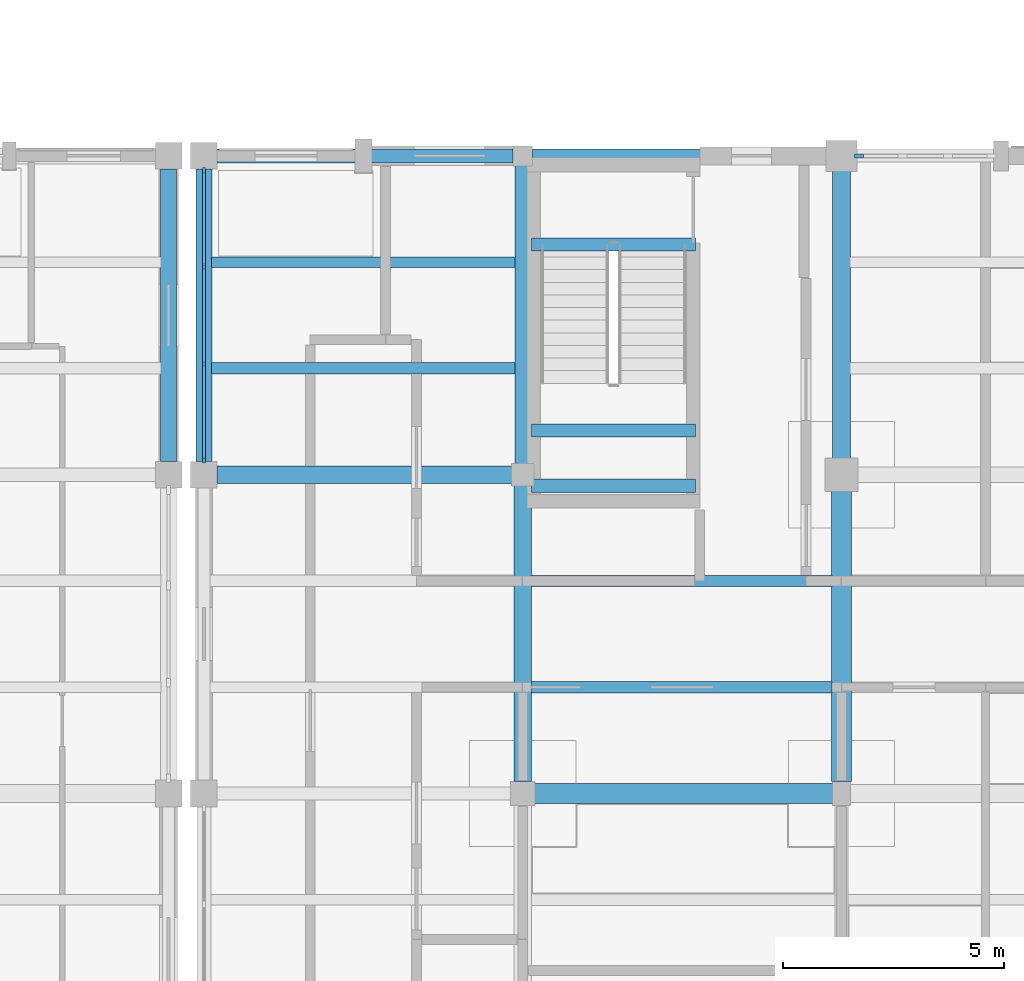
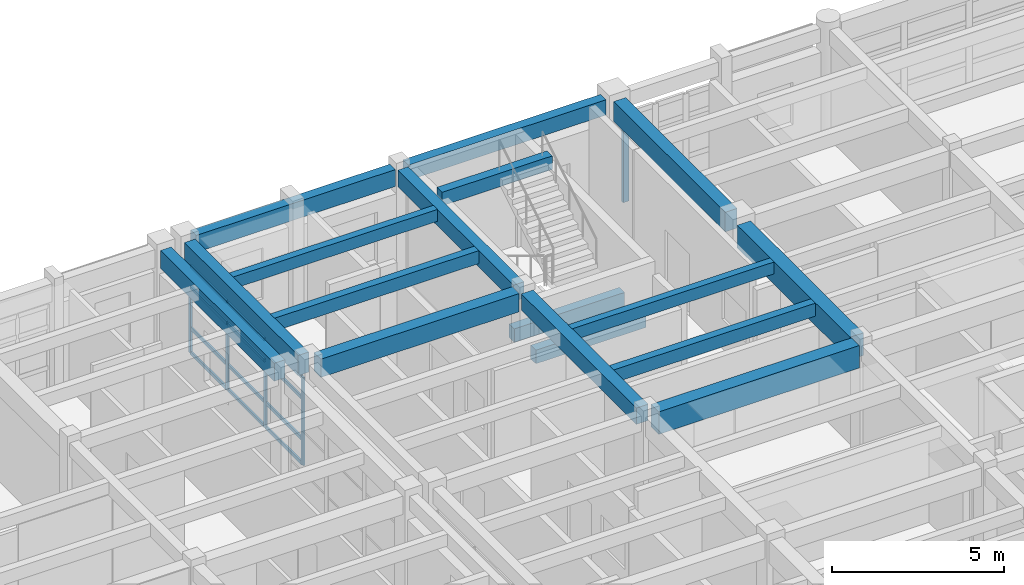
# One storey, part 42 of 110: 17 beams, 17 members, 2 elements without a shape of their own.
"""IFC4 building model written with IfcOpenShell, lengths in metres."""

import ifcopenshell
import ifcopenshell.guid

model = None  # the IFC model being written
_history = None  # IfcOwnerHistory: only IFC2X3 demands one
_inside = {}  # id of a spatial element -> (the spatial element, [elements in it])
_under = {}  # id of a project, library or spatial element -> (it, [spatial elements below it])
_declared = {}  # id of a project -> (the project, [libraries it declares])
_typed = {}  # id of a type object -> (the type object, [elements of that type])
_made_of = {}  # id of a material, layer set ... -> (it, [elements and type objects made of it])


def new_model(schema):
    """Start an empty IFC model of exactly this schema.

    Asked for "IFC4X3", IfcOpenShell would pick the latest addendum, in which some entities
    have other attributes; the version numbers below select the first issue.
    IFC2X3 requires an IfcOwnerHistory on every rooted entity: one is made here for all.
    """
    global model, _history
    if schema == "IFC4X3":
        model = ifcopenshell.file(schema_version=(4, 3, 0, 0))
    else:
        model = ifcopenshell.file(schema=schema)
    _inside.clear()
    _under.clear()
    _declared.clear()
    _typed.clear()
    _made_of.clear()
    _history = None
    if model.schema == "IFC2X3":
        org = make("IfcOrganization", Name="unknown")
        user = make(
            "IfcPersonAndOrganization",
            ThePerson=make("IfcPerson", FamilyName="unknown"),
            TheOrganization=org,
        )
        app = make(
            "IfcApplication",
            ApplicationDeveloper=org,
            Version="unknown",
            ApplicationFullName="unknown",
            ApplicationIdentifier="unknown",
        )
        _history = make(
            "IfcOwnerHistory",
            OwningUser=user,
            OwningApplication=app,
            ChangeAction="ADDED",
            CreationDate=0,
        )
    return model


def make(cls, **values):
    """One entity of the class cls with the attributes given. An attribute that is None is left unset."""
    return model.create_entity(
        cls, **{name: value for name, value in values.items() if value is not None}
    )


def rooted(cls, **values):
    """An entity with a GlobalId (a new one), such as an element, a storey or a relation."""
    return make(cls, GlobalId=ifcopenshell.guid.new(), OwnerHistory=_history, **values)


def si_unit(unit_type, name, prefix=None):
    """IfcSIUnit, for example si_unit("LENGTHUNIT", "METRE", prefix="MILLI")."""
    return make("IfcSIUnit", UnitType=unit_type, Prefix=prefix, Name=name)


def assignment(units):
    """IfcUnitAssignment: the units of a project."""
    return None if units is None else make("IfcUnitAssignment", Units=units)


def point(xyz):
    """IfcCartesianPoint."""
    return None if xyz is None else make("IfcCartesianPoint", Coordinates=xyz)


def direction(xyz):
    """IfcDirection."""
    return None if xyz is None else make("IfcDirection", DirectionRatios=xyz)


def frame(location, z_axis=None, x_axis=None):
    """IfcAxis2Placement3D, a coordinate frame: its origin and axes. An axis left out is left unset."""
    return make(
        "IfcAxis2Placement3D",
        Location=point(location),
        Axis=direction(z_axis),
        RefDirection=direction(x_axis),
    )


def frame_2d(location, x_axis=None):
    """IfcAxis2Placement2D, a coordinate frame in the plane: its origin and x axis."""
    return make(
        "IfcAxis2Placement2D", Location=point(location), RefDirection=direction(x_axis)
    )


def origin():
    """The frame at (0, 0, 0) with its axes left unset."""
    return frame((0.0, 0.0, 0.0))


def origin_2d():
    """The frame at (0, 0) in the plane with its x axis left unset."""
    return frame_2d((0.0, 0.0))


def place(relative_to, where):
    """IfcLocalPlacement: puts the frame where relative to a parent placement (None: the world)."""
    return make(
        "IfcLocalPlacement", PlacementRelTo=relative_to, RelativePlacement=where
    )


def context(
    kind, dimensions, precision=None, world=None, true_north=None, identifier=None
):
    """IfcGeometricRepresentationContext, for example the 3D "Model" context."""
    return make(
        "IfcGeometricRepresentationContext",
        ContextIdentifier=identifier,
        ContextType=kind,
        CoordinateSpaceDimension=dimensions,
        Precision=precision,
        WorldCoordinateSystem=world,
        TrueNorth=true_north,
    )


def subcontext(parent, identifier, kind, view, scale=None):
    """IfcGeometricRepresentationSubContext, for example "Body" below "Model"."""
    return make(
        "IfcGeometricRepresentationSubContext",
        ContextIdentifier=identifier,
        ContextType=kind,
        ParentContext=parent,
        TargetScale=scale,
        TargetView=view,
    )


def project(units=None, contexts=None):
    """IfcProject with its units and contexts."""
    return rooted(
        "IfcProject",
        Name="project",
        RepresentationContexts=contexts,
        UnitsInContext=assignment(units),
    )


def spatial(cls, under=None, at=None, **own):
    """A site, building, storey or space (cls), placed at a placement, below another one or the project."""
    s = rooted(cls, ObjectPlacement=at, **own)
    if under is not None:
        _under.setdefault(under.id(), (under, []))[1].append(s)
    return s


def profile(cls, at=None, kind="AREA", **sizes):
    """A parametric profile (cls). Its sizes go by their IFC names, for example OverallWidth=200.0."""
    return make(cls, ProfileType=kind, Position=at, **sizes)


def rectangle(**sizes):
    """IfcRectangleProfileDef."""
    return profile("IfcRectangleProfileDef", **sizes)


def extrude(swept, where, along, depth):
    """IfcExtrudedAreaSolid: the profile swept, set in the frame where, extruded along a direction by depth."""
    return make(
        "IfcExtrudedAreaSolid",
        SweptArea=swept,
        Position=where,
        ExtrudedDirection=direction(along),
        Depth=depth,
    )


def shape(context_of_items, identifier, shape_type, items):
    """IfcShapeRepresentation: the items that make up one representation, for example the "Body"."""
    return make(
        "IfcShapeRepresentation",
        ContextOfItems=context_of_items,
        RepresentationIdentifier=identifier,
        RepresentationType=shape_type,
        Items=items,
    )


def material(Name=None, Category=None):
    """IfcMaterial."""
    return make("IfcMaterial", Name=Name, Category=Category)


def material_profile(
    of_material, cross_section, Name=None, Category=None, Priority=None
):
    """IfcMaterialProfile: a cross section and its material."""
    return make(
        "IfcMaterialProfile",
        Name=Name,
        Material=of_material,
        Profile=cross_section,
        Priority=Priority,
        Category=Category,
    )


def profile_set(profiles, Name=None, composite=None):
    """IfcMaterialProfileSet."""
    return make(
        "IfcMaterialProfileSet",
        Name=Name,
        MaterialProfiles=profiles,
        CompositeProfile=composite,
    )


def made_of(thing, what):
    """Note that an element or type object is made of a material, layer set ...; save() writes the relation."""
    if what is not None:
        _made_of.setdefault(what.id(), (what, []))[1].append(thing)
    return thing


def type_object(cls, material=None, **own):
    """A type object (cls), such as IfcWallType, which elements share."""
    return made_of(rooted(cls, **own), material)


def element(
    cls,
    number,
    at=None,
    inside=None,
    cuts=None,
    type_object=None,
    material=None,
    context=None,
    identifier="Body",
    shape_type=None,
    held_by="IfcProductDefinitionShape",
    body=None,
    shapes=None,
    **own,
):
    """One element of the class cls, such as IfcWall. Its Tag is "e" and its number.

    at: its placement. inside: the storey or other place that contains it. cuts: it is an
    opening in that element (IfcRelVoidsElement). A single representation is given by context,
    identifier, shape_type and body (its items); several are given by shapes. held_by: the class
    of the entity that holds the representations. save() writes the other relations.
    """
    e = rooted(cls, Tag="e%d" % number, ObjectPlacement=at, **own)
    if body is not None:
        shapes = [shape(context, identifier, shape_type, body)]
    if shapes is not None:
        e.Representation = make(held_by, Representations=shapes)
    if inside is not None:
        _inside.setdefault(inside.id(), (inside, []))[1].append(e)
    if cuts is not None:
        rooted(
            "IfcRelVoidsElement", RelatingBuildingElement=cuts, RelatedOpeningElement=e
        )
    if type_object is not None:
        _typed.setdefault(type_object.id(), (type_object, []))[1].append(e)
    return made_of(e, material)


def aggregate(whole, parts):
    """IfcRelAggregates: a whole, such as a stair, and the parts it consists of."""
    return rooted("IfcRelAggregates", RelatingObject=whole, RelatedObjects=parts)


def save(model, path):
    """Write the relations noted so far, then the file.

    IfcRelAggregates (storeys below a building ...), IfcRelContainedInSpatialStructure (elements
    in a storey), IfcRelDefinesByType, IfcRelAssociatesMaterial and IfcRelDeclares: one each for
    every whole, place, type object, material and project.
    """
    for whole, parts in _under.values():
        aggregate(whole, parts)
    for where, things in _inside.values():
        rooted(
            "IfcRelContainedInSpatialStructure",
            RelatedElements=things,
            RelatingStructure=where,
        )
    for kind, things in _typed.values():
        rooted("IfcRelDefinesByType", RelatedObjects=things, RelatingType=kind)
    for what, things in _made_of.values():
        rooted("IfcRelAssociatesMaterial", RelatedObjects=things, RelatingMaterial=what)
    for by, libraries in _declared.values():
        rooted("IfcRelDeclares", RelatingContext=by, RelatedDefinitions=libraries)
    model.write(path)


model = new_model("IFC4")

# Units and contexts
model_context = context("Model", 3, precision=1e-05, world=origin(), true_north=direction((0.0, 1.0)))
body_context = subcontext(model_context, "Body", "Model", "MODEL_VIEW")
ifc_project = project(units=[si_unit("LENGTHUNIT", "METRE"), si_unit("AREAUNIT", "SQUARE_METRE"), si_unit("VOLUMEUNIT", "CUBIC_METRE"), si_unit("PLANEANGLEUNIT", "RADIAN"), si_unit("MASSUNIT", "GRAM", prefix="KILO")], contexts=[model_context])

# Site, building, storey
site_placement = place(None, origin())
site = spatial("IfcSite", under=ifc_project, at=site_placement, CompositionType="ELEMENT")
building_placement = place(site_placement, origin())
building = spatial("IfcBuilding", under=site, at=building_placement, Name="Steenspoor Specialist Clinic", CompositionType="ELEMENT")
storey_placement = place(building_placement, frame((0.0, 0.0, 4.800048828125)))
storey = spatial("IfcBuildingStorey", under=building, at=storey_placement, Name="L01", CompositionType="ELEMENT", Elevation=4.800048828125)

# Beams
ifc_material_1 = material(Name="Concrete C35/45", Category="concrete")
ifc_material_profile_1 = material_profile(ifc_material_1, rectangle(XDim=0.300048828125, YDim=0.47998046875, at=origin_2d()), Name="RC-BM-300X480")
ifc_profile_set_1 = profile_set([ifc_material_profile_1], Name="Concrete C35/45")
beam_type_1 = type_object("IfcBeamType", Name="BM-RC-300X480", PredefinedType="BEAM", material=ifc_profile_set_1)
for number, where, z_axis, x_axis, name in (
    (1, (125.39990234375, 102.14990234375, 1.659912109375), (1.0, 0.0, 0.0), (0.0, 1.0, 0.0), "Stair Mid-Landing Bearer 1 ST-V6A L01"),
    (2, (125.39990234375, 100.89990234375, 1.659912109375), (1.0, 0.0, 0.0), (0.0, 1.0, 0.0), "Stair Mid-Landing Bearer 2 ST-V6A L01"),
    (3, (125.39990234375, 106.35009765625, 3.9599609375), (1.0, 0.0, 0.0), (0.0, 1.0, 0.0), "Stair Well Trimmer Beam ST-V6A L01"),
):
    element("IfcBeam", number, at=place(storey_placement, frame(where, z_axis=z_axis, x_axis=x_axis)), inside=storey, type_object=beam_type_1, Name=name, PredefinedType="BEAM", context=body_context, shape_type="SweptSolid", body=[
        extrude(rectangle(XDim=0.300048828125, YDim=0.47998046875, at=origin_2d()), origin(), (0.0, 0.0, 1.0), 3.7001953125),
    ])
ifc_material_profile_2 = material_profile(ifc_material_1, rectangle(XDim=0.35009765625, YDim=0.580078125, at=origin_2d()), Name="RC-BM-350X580")
ifc_profile_set_2 = profile_set([ifc_material_profile_2], Name="Concrete C35/45")
beam_type_2 = type_object("IfcBeamType", Name="BM-RC-350X580", PredefinedType="BEAM", material=ifc_profile_set_2)
beam_1_placement = place(storey_placement, frame((125.199951171875, 101.39501953125, 3.659912109375), z_axis=(0.0, 1.0, 0.0), x_axis=(-1.0, 0.0, 0.0)))
element("IfcBeam", 4, at=beam_1_placement, inside=storey, type_object=beam_type_2, Name="BM-V6-L01-Y1521", PredefinedType="BEAM", context=body_context, shape_type="SweptSolid", body=[
    extrude(rectangle(XDim=0.35009765625, YDim=0.580078125, at=origin_2d()), origin(), (0.0, 0.0, 1.0), 6.73486328125),
])
ifc_material_profile_3 = material_profile(ifc_material_1, rectangle(XDim=0.39990234375, YDim=0.580078125, at=origin_2d()), Name="RC-BM-400X580")
ifc_profile_set_3 = profile_set([ifc_material_profile_3], Name="Concrete C35/45")
beam_type_3 = type_object("IfcBeamType", Name="BM-RC-400X580", PredefinedType="BEAM", material=ifc_profile_set_3)
beam_2_placement = place(storey_placement, frame((125.199951171875, 94.219970703125, 3.659912109375), z_axis=(0.0, 1.0, 0.0), x_axis=(-1.0, 0.0, 0.0)))
element("IfcBeam", 5, at=beam_2_placement, inside=storey, type_object=beam_type_3, Name="BM-V6-L01-Y1520", PredefinedType="BEAM", context=body_context, shape_type="SweptSolid", body=[
    extrude(rectangle(XDim=0.39990234375, YDim=0.580078125, at=origin_2d()), origin(), (0.0, 0.0, 1.0), 6.68505859375),
])
ifc_material_profile_4 = material_profile(ifc_material_1, rectangle(XDim=0.39990234375, YDim=0.64990234375, at=origin_2d()), Name="RC-BM-400X650")
ifc_profile_set_4 = profile_set([ifc_material_profile_4], Name="Concrete C35/45")
beam_type_4 = type_object("IfcBeamType", Name="BM-RC-400X650", PredefinedType="BEAM", material=ifc_profile_set_4)
beam_3_placement = place(storey_placement, frame((118.294921875, 101.14990234375, 3.625), z_axis=(1.0, 0.0, 0.0), x_axis=(0.0, 1.0, 0.0)))
element("IfcBeam", 6, at=beam_3_placement, inside=storey, type_object=beam_type_4, Name="BM-V6-L01-X1503", PredefinedType="BEAM", context=body_context, shape_type="SweptSolid", body=[
    extrude(rectangle(XDim=0.39990234375, YDim=0.64990234375, at=origin_2d()), origin(), (0.0, 0.0, 1.0), 6.66015625),
])
ifc_material_profile_5 = material_profile(ifc_material_1, rectangle(XDim=0.39990234375, YDim=0.699951171875, at=origin_2d()), Name="RC-BM-400X700")
ifc_profile_set_5 = profile_set([ifc_material_profile_5], Name="Concrete C35/45")
beam_type_5 = type_object("IfcBeamType", Name="BM-RC-400X700", PredefinedType="BEAM", material=ifc_profile_set_5)
beam_4_placement = place(storey_placement, frame((132.39990234375, 101.52001953125, 3.599853515625), z_axis=(0.0, 1.0, 0.0), x_axis=(-1.0, 0.0, 0.0)))
element("IfcBeam", 7, at=beam_4_placement, inside=storey, type_object=beam_type_5, Name="BM-V6-L01-Y1527", PredefinedType="BEAM", context=body_context, shape_type="SweptSolid", body=[
    extrude(rectangle(XDim=0.39990234375, YDim=0.699951171875, at=origin_2d()), origin(), (0.0, 0.0, 1.0), 6.48486328125),
])
ifc_material_profile_6 = material_profile(ifc_material_1, rectangle(XDim=0.449951171875, YDim=0.800048828125, at=origin_2d()), Name="RC-BM-450X800")
ifc_profile_set_6 = profile_set([ifc_material_profile_6], Name="Concrete C35/45")
beam_type_6 = type_object("IfcBeamType", Name="BM-RC-450X800", PredefinedType="BEAM", material=ifc_profile_set_6)
beam_5_placement = place(storey_placement, frame((125.469970703125, 93.949951171875, 3.550048828125), z_axis=(1.0, 0.0, 0.0), x_axis=(0.0, 1.0, 0.0)))
element("IfcBeam", 8, at=beam_5_placement, inside=storey, type_object=beam_type_6, Name="BM-V6-L01-X1499", PredefinedType="BEAM", context=body_context, shape_type="SweptSolid", body=[
    extrude(rectangle(XDim=0.449951171875, YDim=0.800048828125, at=origin_2d()), origin(), (0.0, 0.0, 1.0), 6.735107421875),
])
beam_6_placement = place(storey_placement, frame((132.39990234375, 94.219970703125, 3.550048828125), z_axis=(0.0, 1.0, 0.0), x_axis=(-1.0, 0.0, 0.0)))
element("IfcBeam", 9, at=beam_6_placement, inside=storey, type_object=beam_type_6, Name="BM-V6-L01-Y1526", PredefinedType="BEAM", context=body_context, shape_type="SweptSolid", body=[
    extrude(rectangle(XDim=0.449951171875, YDim=0.800048828125, at=origin_2d()), origin(), (0.0, 0.0, 1.0), 6.56005859375),
])

# Curtain wall, members
ifc_material_2 = material(Name="Thermally broken aluminium and low-emissivity glass", Category="aluminium")
curtain_wall_type_1 = type_object("IfcCurtainWallType", Name="CW-TYP-650X355", PredefinedType="USERDEFINED", material=ifc_material_2)
curtain_wall_1_placement = place(storey_placement, origin())
curtain_wall_1 = element("IfcCurtainWall", 10, at=curtain_wall_1_placement, inside=storey, type_object=curtain_wall_type_1, Name="Unitised Curtain Wall CW-V6-L01-178", ObjectType="UNITISED GLAZING", PredefinedType="USERDEFINED")
ifc_material_3 = material(Name="Thermally broken aluminium 6063-T6", Category="aluminium")
ifc_material_profile_7 = material_profile(ifc_material_3, rectangle(XDim=0.06005859375, YDim=0.135009765625, at=origin_2d()), Name="CWM-60X135")
ifc_profile_set_7 = profile_set([ifc_material_profile_7], Name="Thermally broken aluminium 6063-T6")
member_type_1 = type_object("IfcMemberType", Name="CW-MULL-60X135", PredefinedType="MULLION", material=ifc_profile_set_7)
member_1_placement = place(storey_placement, frame((118.0, 101.47998046875, 0.0), z_axis=(0.0, 0.0, 1.0), x_axis=(-1.0, 0.0, 0.0)))
member_1 = element("IfcMember", 11, at=member_1_placement, type_object=member_type_1, Name="CW-10 mullion 1", PredefinedType="MULLION", context=body_context, shape_type="SweptSolid", body=[
    extrude(rectangle(XDim=0.06005859375, YDim=0.135009765625, at=origin_2d()), origin(), (0.0, 0.0, 1.0), 3.1298828125),
])
member_2_placement = place(storey_placement, frame((118.0, 103.64990234375, 0.0), z_axis=(0.0, 0.0, 1.0), x_axis=(-1.0, 0.0, 0.0)))
member_2 = element("IfcMember", 12, at=member_2_placement, type_object=member_type_1, Name="CW-10 mullion 2", PredefinedType="MULLION", context=body_context, shape_type="SweptSolid", body=[
    extrude(rectangle(XDim=0.06005859375, YDim=0.135009765625, at=origin_2d()), origin(), (0.0, 0.0, 1.0), 3.1298828125),
])
member_3_placement = place(storey_placement, frame((118.0, 105.85009765625, 0.0), z_axis=(0.0, 0.0, 1.0), x_axis=(-1.0, 0.0, 0.0)))
member_3 = element("IfcMember", 13, at=member_3_placement, type_object=member_type_1, Name="CW-10 mullion 3", PredefinedType="MULLION", context=body_context, shape_type="SweptSolid", body=[
    extrude(rectangle(XDim=0.06005859375, YDim=0.135009765625, at=origin_2d()), origin(), (0.0, 0.0, 1.0), 3.1298828125),
])
member_4_placement = place(storey_placement, frame((118.0, 108.02001953125, 0.0), z_axis=(0.0, 0.0, 1.0), x_axis=(-1.0, 0.0, 0.0)))
member_4 = element("IfcMember", 14, at=member_4_placement, type_object=member_type_1, Name="CW-10 mullion 4", PredefinedType="MULLION", context=body_context, shape_type="SweptSolid", body=[
    extrude(rectangle(XDim=0.06005859375, YDim=0.135009765625, at=origin_2d()), origin(), (0.0, 0.0, 1.0), 3.1298828125),
])

# Curtain wall, member
curtain_wall_type_2 = type_object("IfcCurtainWallType", Name="CW-TYP-540X355", PredefinedType="USERDEFINED", material=ifc_material_2)
curtain_wall_2_placement = place(storey_placement, origin())
curtain_wall_2 = element("IfcCurtainWall", 15, at=curtain_wall_2_placement, inside=storey, type_object=curtain_wall_type_2, Name="Unitised Curtain Wall CW-V6-L01-179", ObjectType="UNITISED GLAZING", PredefinedType="USERDEFINED")
ifc_material_profile_8 = material_profile(ifc_material_3, rectangle(XDim=0.090087890625, YDim=0.199951171875, at=origin_2d()), Name="CWM-90X200")
ifc_profile_set_8 = profile_set([ifc_material_profile_8], Name="Thermally broken aluminium 6063-T6")
member_type_2 = type_object("IfcMemberType", Name="CW-MULL-90X200", PredefinedType="MULLION", material=ifc_profile_set_8)
member_5_placement = place(storey_placement, frame((132.794921875, 108.35009765625, 0.0), z_axis=(0.0, 0.0, 1.0), x_axis=(0.0, 1.0, 0.0)))
member_5 = element("IfcMember", 16, at=member_5_placement, type_object=member_type_2, Name="CW-11 mullion 1", PredefinedType="MULLION", context=body_context, shape_type="SweptSolid", body=[
    extrude(rectangle(XDim=0.090087890625, YDim=0.199951171875, at=origin_2d()), origin(), (0.0, 0.0, 1.0), 3.1298828125),
])
aggregate(curtain_wall_2, [member_5])

# Member
ifc_material_profile_9 = material_profile(ifc_material_3, rectangle(XDim=0.06005859375, YDim=0.114990234375, at=origin_2d()), Name="CWT-60X115")
ifc_profile_set_9 = profile_set([ifc_material_profile_9], Name="Thermally broken aluminium 6063-T6")
member_type_3 = type_object("IfcMemberType", Name="CW-TRAN-60X115", PredefinedType="USERDEFINED", material=ifc_profile_set_9)
member_6_placement = place(storey_placement, frame((118.0, 101.510009765625, 0.030029296875), z_axis=(0.0, 1.0, 0.0), x_axis=(-1.0, 0.0, 0.0)))
member_6 = element("IfcMember", 17, at=member_6_placement, type_object=member_type_3, Name="CW-10 transom 1.1", ObjectType="TRANSOM", PredefinedType="USERDEFINED", context=body_context, shape_type="SweptSolid", body=[
    extrude(rectangle(XDim=0.06005859375, YDim=0.114990234375, at=origin_2d()), origin(), (0.0, 0.0, 1.0), 2.110107421875),
])

member_7_placement = place(storey_placement, frame((118.0, 101.510009765625, 0.89990234375), z_axis=(0.0, 1.0, 0.0), x_axis=(-1.0, 0.0, 0.0)))
member_7 = element("IfcMember", 18, at=member_7_placement, type_object=member_type_3, Name="CW-10 transom 1.2", ObjectType="TRANSOM", PredefinedType="USERDEFINED", context=body_context, shape_type="SweptSolid", body=[
    extrude(rectangle(XDim=0.06005859375, YDim=0.114990234375, at=origin_2d()), origin(), (0.0, 0.0, 1.0), 2.110107421875),
])

member_8_placement = place(storey_placement, frame((118.0, 101.510009765625, 2.349853515625), z_axis=(0.0, 1.0, 0.0), x_axis=(-1.0, 0.0, 0.0)))
member_8 = element("IfcMember", 19, at=member_8_placement, type_object=member_type_3, Name="CW-10 transom 1.3", ObjectType="TRANSOM", PredefinedType="USERDEFINED", context=body_context, shape_type="SweptSolid", body=[
    extrude(rectangle(XDim=0.06005859375, YDim=0.114990234375, at=origin_2d()), origin(), (0.0, 0.0, 1.0), 2.110107421875),
])

member_9_placement = place(storey_placement, frame((118.0, 101.510009765625, 3.099853515625), z_axis=(0.0, 1.0, 0.0), x_axis=(-1.0, 0.0, 0.0)))
member_9 = element("IfcMember", 20, at=member_9_placement, type_object=member_type_3, Name="CW-10 transom 1.4", ObjectType="TRANSOM", PredefinedType="USERDEFINED", context=body_context, shape_type="SweptSolid", body=[
    extrude(rectangle(XDim=0.06005859375, YDim=0.114990234375, at=origin_2d()), origin(), (0.0, 0.0, 1.0), 2.110107421875),
])

member_10_placement = place(storey_placement, frame((118.0, 103.679931640625, 0.030029296875), z_axis=(0.0, 1.0, 0.0), x_axis=(-1.0, 0.0, 0.0)))
member_10 = element("IfcMember", 21, at=member_10_placement, type_object=member_type_3, Name="CW-10 transom 2.1", ObjectType="TRANSOM", PredefinedType="USERDEFINED", context=body_context, shape_type="SweptSolid", body=[
    extrude(rectangle(XDim=0.06005859375, YDim=0.114990234375, at=origin_2d()), origin(), (0.0, 0.0, 1.0), 2.14013671875),
])

member_11_placement = place(storey_placement, frame((118.0, 103.679931640625, 0.89990234375), z_axis=(0.0, 1.0, 0.0), x_axis=(-1.0, 0.0, 0.0)))
member_11 = element("IfcMember", 22, at=member_11_placement, type_object=member_type_3, Name="CW-10 transom 2.2", ObjectType="TRANSOM", PredefinedType="USERDEFINED", context=body_context, shape_type="SweptSolid", body=[
    extrude(rectangle(XDim=0.06005859375, YDim=0.114990234375, at=origin_2d()), origin(), (0.0, 0.0, 1.0), 2.14013671875),
])

member_12_placement = place(storey_placement, frame((118.0, 103.679931640625, 2.349853515625), z_axis=(0.0, 1.0, 0.0), x_axis=(-1.0, 0.0, 0.0)))
member_12 = element("IfcMember", 23, at=member_12_placement, type_object=member_type_3, Name="CW-10 transom 2.3", ObjectType="TRANSOM", PredefinedType="USERDEFINED", context=body_context, shape_type="SweptSolid", body=[
    extrude(rectangle(XDim=0.06005859375, YDim=0.114990234375, at=origin_2d()), origin(), (0.0, 0.0, 1.0), 2.14013671875),
])

member_13_placement = place(storey_placement, frame((118.0, 103.679931640625, 3.099853515625), z_axis=(0.0, 1.0, 0.0), x_axis=(-1.0, 0.0, 0.0)))
member_13 = element("IfcMember", 24, at=member_13_placement, type_object=member_type_3, Name="CW-10 transom 2.4", ObjectType="TRANSOM", PredefinedType="USERDEFINED", context=body_context, shape_type="SweptSolid", body=[
    extrude(rectangle(XDim=0.06005859375, YDim=0.114990234375, at=origin_2d()), origin(), (0.0, 0.0, 1.0), 2.14013671875),
])

member_14_placement = place(storey_placement, frame((118.0, 105.8798828125, 0.030029296875), z_axis=(0.0, 1.0, 0.0), x_axis=(-1.0, 0.0, 0.0)))
member_14 = element("IfcMember", 25, at=member_14_placement, type_object=member_type_3, Name="CW-10 transom 3.1", ObjectType="TRANSOM", PredefinedType="USERDEFINED", context=body_context, shape_type="SweptSolid", body=[
    extrude(rectangle(XDim=0.06005859375, YDim=0.114990234375, at=origin_2d()), origin(), (0.0, 0.0, 1.0), 2.110107421875),
])

member_15_placement = place(storey_placement, frame((118.0, 105.8798828125, 0.89990234375), z_axis=(0.0, 1.0, 0.0), x_axis=(-1.0, 0.0, 0.0)))
member_15 = element("IfcMember", 26, at=member_15_placement, type_object=member_type_3, Name="CW-10 transom 3.2", ObjectType="TRANSOM", PredefinedType="USERDEFINED", context=body_context, shape_type="SweptSolid", body=[
    extrude(rectangle(XDim=0.06005859375, YDim=0.114990234375, at=origin_2d()), origin(), (0.0, 0.0, 1.0), 2.110107421875),
])

member_16_placement = place(storey_placement, frame((118.0, 105.8798828125, 2.349853515625), z_axis=(0.0, 1.0, 0.0), x_axis=(-1.0, 0.0, 0.0)))
member_16 = element("IfcMember", 27, at=member_16_placement, type_object=member_type_3, Name="CW-10 transom 3.3", ObjectType="TRANSOM", PredefinedType="USERDEFINED", context=body_context, shape_type="SweptSolid", body=[
    extrude(rectangle(XDim=0.06005859375, YDim=0.114990234375, at=origin_2d()), origin(), (0.0, 0.0, 1.0), 2.110107421875),
])

member_17_placement = place(storey_placement, frame((118.0, 105.8798828125, 3.099853515625), z_axis=(0.0, 1.0, 0.0), x_axis=(-1.0, 0.0, 0.0)))
member_17 = element("IfcMember", 28, at=member_17_placement, type_object=member_type_3, Name="CW-10 transom 3.4", ObjectType="TRANSOM", PredefinedType="USERDEFINED", context=body_context, shape_type="SweptSolid", body=[
    extrude(rectangle(XDim=0.06005859375, YDim=0.114990234375, at=origin_2d()), origin(), (0.0, 0.0, 1.0), 2.110107421875),
])

aggregate(curtain_wall_1, [member_1, member_2, member_3, member_4, member_6, member_7, member_8, member_9, member_10, member_11, member_12, member_13, member_14, member_15, member_16, member_17])

# Beams
ifc_material_profile_10 = material_profile(ifc_material_1, rectangle(XDim=0.239990234375, YDim=0.419921875, at=origin_2d()), Name="RC-JT-240X420")
ifc_profile_set_10 = profile_set([ifc_material_profile_10], Name="Concrete C35/45")
beam_type_7 = type_object("IfcBeamType", Name="JT-RC-240X420", PredefinedType="JOIST", material=ifc_profile_set_10)
beam_7_placement = place(storey_placement, frame((118.175048828125, 105.949951171875, 3.739990234375), z_axis=(1.0, 0.0, 0.0), x_axis=(0.0, 1.0, 0.0)))
element("IfcBeam", 29, at=beam_7_placement, inside=storey, type_object=beam_type_7, Name="JT-V6-L01-1555", PredefinedType="JOIST", context=body_context, shape_type="SweptSolid", body=[
    extrude(rectangle(XDim=0.239990234375, YDim=0.419921875, at=origin_2d()), origin(), (0.0, 0.0, 1.0), 6.85498046875),
])
beam_8_placement = place(storey_placement, frame((125.39501953125, 98.75, 3.739990234375), z_axis=(1.0, 0.0, 0.0), x_axis=(0.0, 1.0, 0.0)))
element("IfcBeam", 30, at=beam_8_placement, inside=storey, type_object=beam_type_7, Name="JT-V6-L01-1565", PredefinedType="JOIST", context=body_context, shape_type="SweptSolid", body=[
    extrude(rectangle(XDim=0.239990234375, YDim=0.419921875, at=origin_2d()), origin(), (0.0, 0.0, 1.0), 6.784912109375),
])
ifc_material_profile_11 = material_profile(ifc_material_1, rectangle(XDim=0.260009765625, YDim=0.4599609375, at=origin_2d()), Name="RC-JT-260X460")
ifc_profile_set_11 = profile_set([ifc_material_profile_11], Name="Concrete C35/45")
beam_type_8 = type_object("IfcBeamType", Name="JT-RC-260X460", PredefinedType="JOIST", material=ifc_profile_set_11)
beam_9_placement = place(storey_placement, frame((118.175048828125, 103.550048828125, 3.719970703125), z_axis=(1.0, 0.0, 0.0), x_axis=(0.0, 1.0, 0.0)))
element("IfcBeam", 31, at=beam_9_placement, inside=storey, type_object=beam_type_8, Name="JT-V6-L01-1554", PredefinedType="JOIST", context=body_context, shape_type="SweptSolid", body=[
    extrude(rectangle(XDim=0.260009765625, YDim=0.4599609375, at=origin_2d()), origin(), (0.0, 0.0, 1.0), 6.85498046875),
])
beam_10_placement = place(storey_placement, frame((125.39501953125, 96.35009765625, 3.719970703125), z_axis=(1.0, 0.0, 0.0), x_axis=(0.0, 1.0, 0.0)))
element("IfcBeam", 32, at=beam_10_placement, inside=storey, type_object=beam_type_8, Name="JT-V6-L01-1564", PredefinedType="JOIST", context=body_context, shape_type="SweptSolid", body=[
    extrude(rectangle(XDim=0.260009765625, YDim=0.4599609375, at=origin_2d()), origin(), (0.0, 0.0, 1.0), 6.784912109375),
])
ifc_material_profile_12 = material_profile(ifc_material_1, rectangle(XDim=0.320068359375, YDim=0.5400390625, at=origin_2d()), Name="RC-SP-320X540")
ifc_profile_set_12 = profile_set([ifc_material_profile_12], Name="Concrete C35/45")
beam_type_9 = type_object("IfcBeamType", Name="SP-RC-320X540", PredefinedType="SPANDREL", material=ifc_profile_set_12)
beam_11_placement = place(storey_placement, frame((125.419921875, 108.35009765625, 3.679931640625), z_axis=(1.0, 0.0, 0.0), x_axis=(0.0, 1.0, 0.0)))
element("IfcBeam", 33, at=beam_11_placement, inside=storey, type_object=beam_type_9, Name="BM-V6-L01-X1507", PredefinedType="SPANDREL", context=body_context, shape_type="SweptSolid", body=[
    extrude(rectangle(XDim=0.320068359375, YDim=0.5400390625, at=origin_2d()), origin(), (0.0, 0.0, 1.0), 6.635009765625),
])
ifc_material_profile_13 = material_profile(ifc_material_1, rectangle(XDim=0.320068359375, YDim=0.60009765625, at=origin_2d()), Name="RC-SP-320X600")
ifc_profile_set_13 = profile_set([ifc_material_profile_13], Name="Concrete C35/45")
beam_type_10 = type_object("IfcBeamType", Name="SP-RC-320X600", PredefinedType="SPANDREL", material=ifc_profile_set_13)
beam_12_placement = place(storey_placement, frame((118.294921875, 108.35009765625, 3.64990234375), z_axis=(1.0, 0.0, 0.0), x_axis=(0.0, 1.0, 0.0)))
element("IfcBeam", 34, at=beam_12_placement, inside=storey, type_object=beam_type_10, Name="BM-V6-L01-X1506", PredefinedType="SPANDREL", context=body_context, shape_type="SweptSolid", body=[
    extrude(rectangle(XDim=0.320068359375, YDim=0.60009765625, at=origin_2d()), origin(), (0.0, 0.0, 1.0), 6.68505859375),
])
ifc_material_profile_14 = material_profile(ifc_material_1, rectangle(XDim=0.360107421875, YDim=0.639892578125, at=origin_2d()), Name="RC-SP-360X640")
ifc_profile_set_14 = profile_set([ifc_material_profile_14], Name="Concrete C35/45")
beam_type_11 = type_object("IfcBeamType", Name="SP-RC-360X640", PredefinedType="SPANDREL", material=ifc_profile_set_14)
beam_13_placement = place(storey_placement, frame((117.199951171875, 101.445068359375, 3.6298828125), z_axis=(0.0, 1.0, 0.0), x_axis=(-1.0, 0.0, 0.0)))
element("IfcBeam", 35, at=beam_13_placement, inside=storey, type_object=beam_type_11, Name="BM-V4-L01-Y0572", PredefinedType="SPANDREL", context=body_context, shape_type="SweptSolid", body=[
    extrude(rectangle(XDim=0.360107421875, YDim=0.639892578125, at=origin_2d()), origin(), (0.0, 0.0, 1.0), 6.60986328125),
])
ifc_material_profile_15 = material_profile(ifc_material_1, rectangle(XDim=0.360107421875, YDim=0.719970703125, at=origin_2d()), Name="RC-SP-360X720")
ifc_profile_set_15 = profile_set([ifc_material_profile_15], Name="Concrete C35/45")
beam_type_12 = type_object("IfcBeamType", Name="SP-RC-360X720", PredefinedType="SPANDREL", material=ifc_profile_set_15)
beam_14_placement = place(storey_placement, frame((118.0, 101.445068359375, 3.58984375), z_axis=(0.0, 1.0, 0.0), x_axis=(-1.0, 0.0, 0.0)))
element("IfcBeam", 36, at=beam_14_placement, inside=storey, type_object=beam_type_12, Name="BM-V6-L01-Y1515", PredefinedType="SPANDREL", context=body_context, shape_type="SweptSolid", body=[
    extrude(rectangle(XDim=0.360107421875, YDim=0.719970703125, at=origin_2d()), origin(), (0.0, 0.0, 1.0), 6.60986328125),
])

save(model, "model.ifc")
